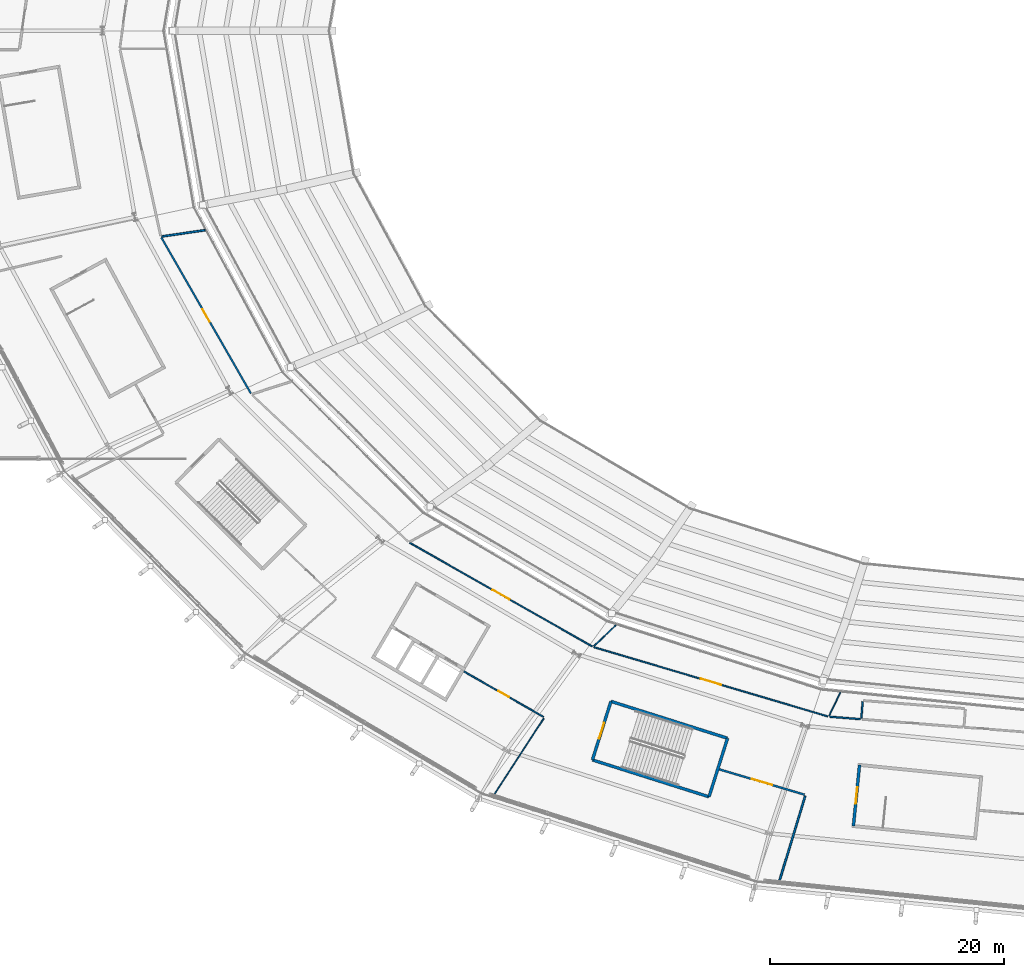
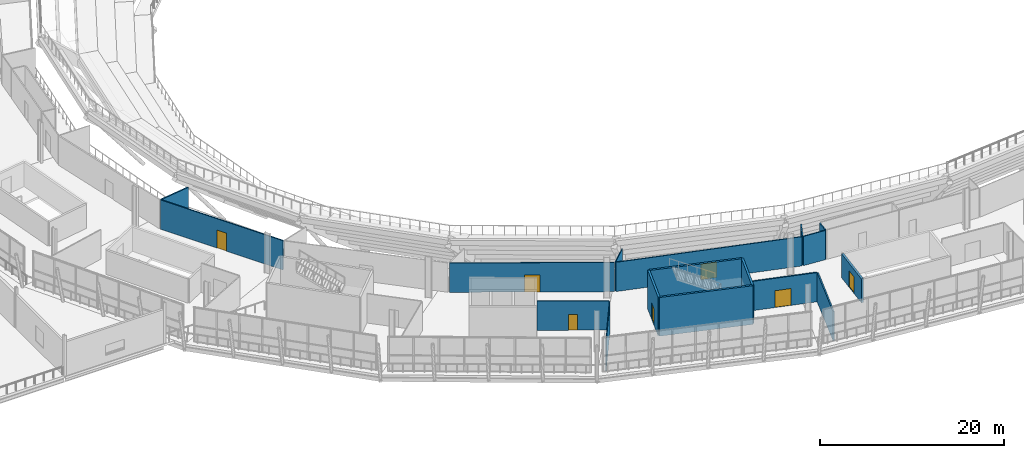
# One storey, part 95 of 126: 17 walls, 7 doors, 7 openings.
"""IFC4 building model written with IfcOpenShell, lengths in metres."""

from ifc_helpers import new_model, si_unit, direction, frame, frame_2d, origin, place, context, subcontext, project, spatial, rectangle, extrude, material, layer, layer_set, type_object, element, fill, save


model = new_model("IFC4")

# Units and contexts
model_context = context("Model", 3, precision=1e-05, world=origin(), true_north=direction((0.0, 1.0)))
body_context = subcontext(model_context, "Body", "Model", "MODEL_VIEW")
ifc_project = project(units=[si_unit("LENGTHUNIT", "METRE"), si_unit("AREAUNIT", "SQUARE_METRE"), si_unit("VOLUMEUNIT", "CUBIC_METRE"), si_unit("PLANEANGLEUNIT", "RADIAN"), si_unit("MASSUNIT", "GRAM", prefix="KILO")], contexts=[model_context])

# Site, building, storey
site_placement = place(None, origin())
site = spatial("IfcSite", under=ifc_project, at=site_placement, CompositionType="ELEMENT")
building_placement = place(site_placement, origin())
building = spatial("IfcBuilding", under=site, at=building_placement, Name="Zlatoyarsky Gate Stadium", CompositionType="ELEMENT")
storey_placement = place(building_placement, frame((0.0, 0.0, 20.800048828125)))
storey = spatial("IfcBuildingStorey", under=building, at=storey_placement, Name="L04", CompositionType="ELEMENT", Elevation=20.800048828125)

# Wall, opening, door
ifc_material_1 = material(Name="Double-stud acoustic gypsum partition", Category="gypsum")
ifc_layer_1 = layer(ifc_material_1, 0.169921875)
ifc_layer_set_1 = layer_set([ifc_layer_1], Name="Double-stud acoustic gypsum partition")
wall_type_1 = type_object("IfcWallType", Name="ACOUSTIC BROADCAST STUDIO WALL 170", PredefinedType="PARTITIONING", material=ifc_layer_set_1)
wall_1_placement = place(storey_placement, frame((82.6962890625, 16.8896484375, 0.0), z_axis=(0.0, 0.0, 1.0), x_axis=(0.958592326315, -0.284781937506, 0.0)))
wall_1 = element("IfcWall", 1, at=wall_1_placement, inside=storey, type_object=wall_type_1, Name="L04 interior partition PRT-L04-OCC-16-1", PredefinedType="PARTITIONING", context=body_context, shape_type="SweptSolid", body=[
    extrude(rectangle(XDim=7.597412109375, YDim=0.169921875, at=frame_2d((3.798828125, 0.0))), origin(), (0.0, 0.0, 1.0), 3.889892578125),
])
opening_1_placement = place(wall_1_placement, frame((2.888671875, 0.0, 0.0)))
opening_1 = element("IfcOpeningElement", 2, at=opening_1_placement, cuts=wall_1, Name="Opening D-L04-590", PredefinedType="OPENING", context=body_context, shape_type="SweptSolid", body=[
    extrude(rectangle(XDim=1.820068359375, YDim=2.239990234375, at=frame_2d((0.91015625, 1.1201171875))), frame((0.0, 0.094970703125, 0.0), z_axis=(0.0, -1.0, 0.0), x_axis=(1.0, 0.0, 0.0)), (0.0, 0.0, 1.0), 0.18994140625),
])
ifc_material_2 = material(Name="Powder-coated steel fire door", Category="steel")
door_type_1 = type_object("IfcDoorType", Name="ACOUSTIC INTERIOR DOOR 1820X2240", OperationType="NOTDEFINED", PredefinedType="DOOR", material=ifc_material_2)
door_1_placement = place(opening_1_placement, origin())
door_1 = element("IfcDoor", 3, at=door_1_placement, inside=storey, type_object=door_type_1, Name="L04 room door D-L04-590", OperationType="SINGLE_SWING_RIGHT", OverallHeight=2.239990234375, OverallWidth=1.820068359375, PredefinedType="DOOR", context=body_context, shape_type="SweptSolid", body=[
    extrude(rectangle(XDim=1.820068359375, YDim=2.239990234375, at=frame_2d((0.91015625, 1.1201171875))), frame((0.0, 0.02490234375, 0.0), z_axis=(0.0, -1.0, 0.0), x_axis=(1.0, 0.0, 0.0)), (0.0, 0.0, 1.0), 0.050048828125),
])
fill(opening_1, door_1)

ifc_material_3 = material(Name="Anodised aluminium acoustic operable wall", Category="aluminium")
ifc_layer_2 = layer(ifc_material_3, 0.114990234375)
ifc_layer_set_2 = layer_set([ifc_layer_2], Name="Anodised aluminium acoustic operable wall")
wall_type_2 = type_object("IfcWallType", Name="ACOUSTIC OPERABLE SUITE WALL 115", PredefinedType="MOVABLE", material=ifc_layer_set_2)
wall_2_placement = place(storey_placement, frame((71.992431640625, 27.32666015625, 0.0), z_axis=(0.0, 0.0, 1.0), x_axis=(0.958867523935, -0.283853961648, 0.0)))
wall_2 = element("IfcWall", 4, at=wall_2_placement, inside=storey, type_object=wall_type_2, Name="L04 vomitory portal wall PRT-L04-ICC-16", PredefinedType="MOVABLE", context=body_context, shape_type="SweptSolid", body=[
    extrude(rectangle(XDim=20.8203125, YDim=0.114990234375, at=frame_2d((10.41015625, 0.0))), origin(), (0.0, 0.0, 1.0), 3.889892578125),
])
opening_2_placement = place(wall_2_placement, frame((9.5, 0.0, 0.0)))
opening_2 = element("IfcOpeningElement", 5, at=opening_2_placement, cuts=wall_2, Name="Opening D-L04-538", PredefinedType="OPENING", context=body_context, shape_type="SweptSolid", body=[
    extrude(rectangle(XDim=1.820068359375, YDim=2.10009765625, at=frame_2d((0.91015625, 1.050048828125))), frame((0.0, 0.0673828125, 0.0), z_axis=(0.0, -1.0, 0.0), x_axis=(1.0, 0.0, 0.0)), (0.0, 0.0, 1.0), 0.135009765625),
])
ifc_material_4 = material(Name="Solid-core oak veneer acoustic door", Category="wood")
door_type_2 = type_object("IfcDoorType", Name="ACOUSTIC INTERIOR DOOR 1820X2100", OperationType="NOTDEFINED", PredefinedType="DOOR", material=ifc_material_4)
door_2_placement = place(opening_2_placement, origin())
door_2 = element("IfcDoor", 6, at=door_2_placement, inside=storey, type_object=door_type_2, Name="L04 vomitory portal door D-L04-538", OperationType="SINGLE_SWING_RIGHT", OverallHeight=2.10009765625, OverallWidth=1.820068359375, PredefinedType="DOOR", context=body_context, shape_type="SweptSolid", body=[
    extrude(rectangle(XDim=1.820068359375, YDim=2.10009765625, at=frame_2d((0.91015625, 1.050048828125))), frame((0.0, 0.02490234375, 0.0), z_axis=(0.0, -1.0, 0.0), x_axis=(1.0, 0.0, 0.0)), (0.0, 0.0, 1.0), 0.050048828125),
])
fill(opening_2, door_2)

wall_3_placement = place(storey_placement, frame((60.86767578125, 25.2578125, 0.0), z_axis=(0.0, 0.0, 1.0), x_axis=(0.868551387385, -0.495599119725, 0.0)))
wall_3 = element("IfcWall", 7, at=wall_3_placement, inside=storey, type_object=wall_type_2, Name="L04 interior partition PRT-L04-OCC-15-1", PredefinedType="MOVABLE", context=body_context, shape_type="SweptSolid", body=[
    extrude(rectangle(XDim=7.843017578125, YDim=0.114990234375, at=frame_2d((3.92138671875, 0.0))), origin(), (0.0, 0.0, 1.0), 3.889892578125),
])
opening_3_placement = place(wall_3_placement, frame((3.41162109375, 0.0, 0.0)))
opening_3 = element("IfcOpeningElement", 8, at=opening_3_placement, cuts=wall_3, Name="Opening D-L04-588", PredefinedType="OPENING", context=body_context, shape_type="SweptSolid", body=[
    extrude(rectangle(XDim=1.02001953125, YDim=2.10009765625, at=frame_2d((0.510009765625, 1.050048828125))), frame((0.0, 0.0673828125, 0.0), z_axis=(0.0, -1.0, 0.0), x_axis=(1.0, 0.0, 0.0)), (0.0, 0.0, 1.0), 0.135009765625),
])
door_type_3 = type_object("IfcDoorType", Name="ACOUSTIC INTERIOR DOOR 1020X2100", OperationType="NOTDEFINED", PredefinedType="DOOR", material=ifc_material_4)
door_3_placement = place(opening_3_placement, origin())
door_3 = element("IfcDoor", 9, at=door_3_placement, inside=storey, type_object=door_type_3, Name="L04 room door D-L04-588", OperationType="SINGLE_SWING_LEFT", OverallHeight=2.10009765625, OverallWidth=1.02001953125, PredefinedType="DOOR", context=body_context, shape_type="SweptSolid", body=[
    extrude(rectangle(XDim=1.02001953125, YDim=2.10009765625, at=frame_2d((0.510009765625, 1.050048828125))), frame((0.0, 0.02490234375, 0.0), z_axis=(0.0, -1.0, 0.0), x_axis=(1.0, 0.0, 0.0)), (0.0, 0.0, 1.0), 0.050048828125),
])
fill(opening_3, door_3)

ifc_material_5 = material(Name="Metal-stud gypsum partition", Category="gypsum")
ifc_layer_3 = layer(ifc_material_5, 0.14990234375)
ifc_layer_set_3 = layer_set([ifc_layer_3], Name="Metal-stud gypsum partition")
wall_type_3 = type_object("IfcWallType", Name="CONCOURSE CORRIDOR PARTITION 150", PredefinedType="PARTITIONING", material=ifc_layer_set_3)
wall_4_placement = place(storey_placement, frame((35.01611328125, 62.337158203125, 0.0), z_axis=(0.0, 0.0, 1.0), x_axis=(0.498023782577, -0.867163370991, 0.0)))
wall_4 = element("IfcWall", 10, at=wall_4_placement, inside=storey, type_object=wall_type_3, Name="L04 interior partition PRT-L04-ICC-13", PredefinedType="PARTITIONING", context=body_context, shape_type="SweptSolid", body=[
    extrude(rectangle(XDim=15.362548828125, YDim=0.14990234375, at=frame_2d((7.68115234375, 0.0))), origin(), (0.0, 0.0, 1.0), 3.889892578125),
])
opening_4_placement = place(wall_4_placement, frame((7.061279296875, 0.0, 0.0)))
opening_4 = element("IfcOpeningElement", 11, at=opening_4_placement, cuts=wall_4, Name="Opening D-L04-532", PredefinedType="OPENING", context=body_context, shape_type="SweptSolid", body=[
    extrude(rectangle(XDim=1.239990234375, YDim=2.3798828125, at=frame_2d((0.6201171875, 1.18994140625))), frame((0.0, 0.0849609375, 0.0), z_axis=(0.0, -1.0, 0.0), x_axis=(1.0, 0.0, 0.0)), (0.0, 0.0, 1.0), 0.169921875),
])
door_type_4 = type_object("IfcDoorType", Name="ACOUSTIC INTERIOR DOOR 1240X2380", OperationType="NOTDEFINED", PredefinedType="DOOR", material=ifc_material_2)
door_4_placement = place(opening_4_placement, origin())
door_4 = element("IfcDoor", 12, at=door_4_placement, inside=storey, type_object=door_type_4, Name="L04 room door D-L04-532", OperationType="SINGLE_SWING_LEFT", OverallHeight=2.3798828125, OverallWidth=1.239990234375, PredefinedType="DOOR", context=body_context, shape_type="SweptSolid", body=[
    extrude(rectangle(XDim=1.239990234375, YDim=2.3798828125, at=frame_2d((0.6201171875, 1.18994140625))), frame((0.0, 0.02490234375, 0.0), z_axis=(0.0, -1.0, 0.0), x_axis=(1.0, 0.0, 0.0)), (0.0, 0.0, 1.0), 0.050048828125),
])
fill(opening_4, door_4)

ifc_material_6 = material(Name="Concrete C40/50", Category="concrete")
ifc_layer_4 = layer(ifc_material_6, 0.25)
ifc_layer_set_4 = layer_set([ifc_layer_4], Name="Concrete C40/50")
wall_type_4 = type_object("IfcWallType", Name="CONCRETE STAIR CORE SHEAR WALL 250", PredefinedType="SHEAR", material=ifc_layer_set_4)
wall_5_placement = place(storey_placement, frame((73.436767578125, 22.69873046875, 0.0), z_axis=(0.0, 0.0, 1.0), x_axis=(-0.30152749866, -0.953457480726, 0.0)))
wall_5 = element("IfcWall", 13, at=wall_5_placement, inside=storey, type_object=wall_type_4, Name="ST-09 L04 stair core entrance shear wall", PredefinedType="SHEAR", context=body_context, shape_type="SweptSolid", body=[
    extrude(rectangle(XDim=5.25, YDim=0.25, at=frame_2d((2.625, 0.0))), origin(), (0.0, 0.0, 1.0), 5.139892578125),
])
opening_5_placement = place(wall_5_placement, frame((1.925048828125, 0.0, 0.0)))
opening_5 = element("IfcOpeningElement", 14, at=opening_5_placement, cuts=wall_5, Name="Opening SD-ST-09-L04", PredefinedType="OPENING", context=body_context, shape_type="SweptSolid", body=[
    extrude(rectangle(XDim=1.39990234375, YDim=2.199951171875, at=frame_2d((0.699951171875, 1.10009765625))), frame((0.0, 0.135009765625, 0.0), z_axis=(0.0, -1.0, 0.0), x_axis=(1.0, 0.0, 0.0)), (0.0, 0.0, 1.0), 0.27001953125),
])
door_type_5 = type_object("IfcDoorType", Name="STAIR CORE FIRE EXIT DOOR 1400X2200", OperationType="NOTDEFINED", PredefinedType="DOOR", material=ifc_material_2)
door_5_placement = place(opening_5_placement, frame((1.39990234375, 0.0, 0.0), z_axis=(0.0, 0.0, 1.0), x_axis=(-1.0, 0.0, 0.0)))
door_5 = element("IfcDoor", 15, at=door_5_placement, inside=storey, type_object=door_type_5, Name="ST-09 L04 stair fire door", OperationType="SINGLE_SWING_LEFT", OverallHeight=2.199951171875, OverallWidth=1.39990234375, PredefinedType="DOOR", context=body_context, shape_type="SweptSolid", body=[
    extrude(rectangle(XDim=1.39990234375, YDim=2.199951171875, at=frame_2d((0.699951171875, 1.10009765625))), frame((0.0, 0.02490234375, 0.0), z_axis=(0.0, -1.0, 0.0), x_axis=(1.0, 0.0, 0.0)), (0.0, 0.0, 1.0), 0.050048828125),
])
fill(opening_5, door_5)

# Walls
wall_6_placement = place(storey_placement, frame((71.853759765625, 17.693115234375, 0.0), z_axis=(0.0, 0.0, 1.0), x_axis=(0.953461834254, -0.301513732061, 0.0)))
element("IfcWall", 16, at=wall_6_placement, inside=storey, type_object=wall_type_4, Name="ST-09 L04 stair core left shear wall", PredefinedType="SHEAR", context=body_context, shape_type="SweptSolid", body=[
    extrude(rectangle(XDim=10.4501953125, YDim=0.25, at=frame_2d((5.22509765625, 0.0))), origin(), (0.0, 0.0, 1.0), 5.139892578125),
])
wall_7_placement = place(storey_placement, frame((81.817626953125, 14.542236328125, 0.0), z_axis=(0.0, 0.0, 1.0), x_axis=(0.301485222482, 0.953470849384, 0.0)))
element("IfcWall", 17, at=wall_7_placement, inside=storey, type_object=wall_type_4, Name="ST-09 L04 stair core far shear wall", PredefinedType="SHEAR", context=body_context, shape_type="SweptSolid", body=[
    extrude(rectangle(XDim=5.25, YDim=0.25, at=frame_2d((2.625, 0.0))), origin(), (0.0, 0.0, 1.0), 5.139892578125),
])
wall_8_placement = place(storey_placement, frame((83.400390625, 19.5478515625, 0.0), z_axis=(0.0, 0.0, 1.0), x_axis=(-0.953459710305, 0.301520448438, 0.0)))
element("IfcWall", 18, at=wall_8_placement, inside=storey, type_object=wall_type_4, Name="ST-09 L04 stair core right shear wall", PredefinedType="SHEAR", context=body_context, shape_type="SweptSolid", body=[
    extrude(rectangle(XDim=10.449951171875, YDim=0.25, at=frame_2d((5.22509765625, 0.0))), origin(), (0.0, 0.0, 1.0), 5.139892578125),
])

# Wall, opening, door
wall_9_placement = place(storey_placement, frame((94.680908203125, 17.26611328125, 0.0), z_axis=(0.0, 0.0, 1.0), x_axis=(-0.10002396577, -0.994985028165, 0.0)))
wall_9 = element("IfcWall", 19, at=wall_9_placement, inside=storey, type_object=wall_type_4, Name="ST-19 L04 stair core entrance shear wall", PredefinedType="SHEAR", context=body_context, shape_type="SweptSolid", body=[
    extrude(rectangle(XDim=5.250244140625, YDim=0.25, at=frame_2d((2.625, 0.0))), origin(), (0.0, 0.0, 1.0), 3.199951171875),
])
opening_6_placement = place(wall_9_placement, frame((1.925048828125, 0.0, 0.0)))
opening_6 = element("IfcOpeningElement", 20, at=opening_6_placement, cuts=wall_9, Name="Opening SD-ST-19-L04", PredefinedType="OPENING", context=body_context, shape_type="SweptSolid", body=[
    extrude(rectangle(XDim=1.39990234375, YDim=2.199951171875, at=frame_2d((0.699951171875, 1.10009765625))), frame((0.0, 0.135009765625, 0.0), z_axis=(0.0, -1.0, 0.0), x_axis=(1.0, 0.0, 0.0)), (0.0, 0.0, 1.0), 0.27001953125),
])
door_6_placement = place(opening_6_placement, frame((1.39990234375, 0.0, 0.0), z_axis=(0.0, 0.0, 1.0), x_axis=(-1.0, 0.0, 0.0)))
door_6 = element("IfcDoor", 21, at=door_6_placement, inside=storey, type_object=door_type_5, Name="ST-19 L04 stair fire door", OperationType="SINGLE_SWING_RIGHT", OverallHeight=2.199951171875, OverallWidth=1.39990234375, PredefinedType="DOOR", context=body_context, shape_type="SweptSolid", body=[
    extrude(rectangle(XDim=1.39990234375, YDim=2.199951171875, at=frame_2d((0.699951171875, 1.10009765625))), frame((0.0, 0.02490234375, 0.0), z_axis=(0.0, -1.0, 0.0), x_axis=(1.0, 0.0, 0.0)), (0.0, 0.0, 1.0), 0.050048828125),
])
fill(opening_6, door_6)

# Walls
ifc_material_7 = material(Name="Timber-veneered acoustic operable partition", Category="wood")
ifc_layer_5 = layer(ifc_material_7, 0.094970703125)
ifc_layer_set_5 = layer_set([ifc_layer_5], Name="Timber-veneered acoustic operable partition")
wall_type_5 = type_object("IfcWallType", Name="FOLDING BANQUET SALON WALL 95", PredefinedType="MOVABLE", material=ifc_layer_set_5)
wall_10_placement = place(storey_placement, frame((93.041015625, 23.4580078125, 0.0), z_axis=(0.0, 0.0, 1.0), x_axis=(-0.436937147181, -0.899492039661, 0.0)))
element("IfcWall", 22, at=wall_10_placement, inside=storey, type_object=wall_type_5, Name="L04 interior partition PRT-L04-IRD-17", PredefinedType="MOVABLE", context=body_context, shape_type="SweptSolid", body=[
    extrude(rectangle(XDim=2.2109375, YDim=0.094970703125, at=frame_2d((1.10546875, 0.0))), origin(), (0.0, 0.0, 1.0), 3.889892578125),
])
wall_11_placement = place(storey_placement, frame((67.707275390625, 21.257568359375, 0.0), z_axis=(0.0, 0.0, 1.0), x_axis=(-0.546438472929, -0.837499250927, 0.0)))
element("IfcWall", 23, at=wall_11_placement, inside=storey, type_object=wall_type_5, Name="L04 interior partition PRT-L04-ORD-15R", PredefinedType="MOVABLE", context=body_context, shape_type="SweptSolid", body=[
    extrude(rectangle(XDim=7.765625, YDim=0.094970703125, at=frame_2d((3.8828125, 0.0))), origin(), (0.0, 0.0, 1.0), 3.889892578125),
])
ifc_material_8 = material(Name="Acoustic metal-stud gypsum partition", Category="gypsum")
ifc_layer_6 = layer(ifc_material_8, 0.159912109375)
ifc_layer_set_6 = layer_set([ifc_layer_6], Name="Acoustic metal-stud gypsum partition")
wall_type_6 = type_object("IfcWallType", Name="HOSPITALITY SUITE PARTITION 160", PredefinedType="PARTITIONING", material=ifc_layer_set_6)
wall_12_placement = place(storey_placement, frame((38.76123046875, 62.966796875, 0.0), z_axis=(0.0, 0.0, 1.0), x_axis=(-0.98939280034, -0.145264884385, 0.0)))
element("IfcWall", 24, at=wall_12_placement, inside=storey, type_object=wall_type_6, Name="L04 interior partition PRT-L04-IRD-13", PredefinedType="PARTITIONING", context=body_context, shape_type="SweptSolid", body=[
    extrude(rectangle(XDim=3.742919921875, YDim=0.159912109375, at=frame_2d((1.87158203125, 0.0))), origin(), (0.0, 0.0, 1.0), 3.889892578125),
])
wall_13_placement = place(storey_placement, frame((90.035888671875, 14.620361328125, 0.0), z_axis=(0.0, 0.0, 1.0), x_axis=(-0.289819492938, -0.957081324399, 0.0)))
element("IfcWall", 25, at=wall_13_placement, inside=storey, type_object=wall_type_6, Name="L04 interior partition PRT-L04-ORD-16R", PredefinedType="PARTITIONING", context=body_context, shape_type="SweptSolid", body=[
    extrude(rectangle(XDim=7.572998046875, YDim=0.159912109375, at=frame_2d((3.78662109375, 0.0))), origin(), (0.0, 0.0, 1.0), 3.889892578125),
])

# Wall, opening, door
ifc_layer_7 = layer(ifc_material_5, 0.110107421875)
ifc_layer_set_7 = layer_set([ifc_layer_7], Name="Metal-stud gypsum partition")
wall_type_7 = type_object("IfcWallType", Name="KIOSK SERVICE PARTITION 110", PredefinedType="PARTITIONING", material=ifc_layer_set_7)
wall_14_placement = place(storey_placement, frame((56.245849609375, 36.247802734375, 0.0), z_axis=(0.0, 0.0, 1.0), x_axis=(0.869545597603, -0.493852663948, 0.0)))
wall_14 = element("IfcWall", 26, at=wall_14_placement, inside=storey, type_object=wall_type_7, Name="L04 interior partition PRT-L04-ICC-15", PredefinedType="PARTITIONING", context=body_context, shape_type="SweptSolid", body=[
    extrude(rectangle(XDim=17.930419921875, YDim=0.110107421875, at=frame_2d((8.96533203125, 0.0))), origin(), (0.0, 0.0, 1.0), 3.889892578125),
])
opening_7_placement = place(wall_14_placement, frame((8.125, 0.0, 0.0)))
opening_7 = element("IfcOpeningElement", 27, at=opening_7_placement, cuts=wall_14, Name="Opening D-L04-536", PredefinedType="OPENING", context=body_context, shape_type="SweptSolid", body=[
    extrude(rectangle(XDim=1.679931640625, YDim=2.239990234375, at=frame_2d((0.83984375, 1.1201171875))), frame((0.0, 0.06494140625, 0.0), z_axis=(0.0, -1.0, 0.0), x_axis=(1.0, 0.0, 0.0)), (0.0, 0.0, 1.0), 0.130126953125),
])
door_type_6 = type_object("IfcDoorType", Name="ACOUSTIC INTERIOR DOOR 1680X2240", OperationType="NOTDEFINED", PredefinedType="DOOR", material=ifc_material_4)
door_7_placement = place(opening_7_placement, origin())
door_7 = element("IfcDoor", 28, at=door_7_placement, inside=storey, type_object=door_type_6, Name="L04 room door D-L04-536", OperationType="SINGLE_SWING_LEFT", OverallHeight=2.239990234375, OverallWidth=1.679931640625, PredefinedType="DOOR", context=body_context, shape_type="SweptSolid", body=[
    extrude(rectangle(XDim=1.679931640625, YDim=2.239990234375, at=frame_2d((0.83984375, 1.1201171875))), frame((0.0, 0.02490234375, 0.0), z_axis=(0.0, -1.0, 0.0), x_axis=(1.0, 0.0, 0.0)), (0.0, 0.0, 1.0), 0.050048828125),
])
fill(opening_7, door_7)

# Walls
ifc_layer_8 = layer(ifc_material_5, 0.10009765625)
ifc_layer_set_8 = layer_set([ifc_layer_8], Name="Metal-stud gypsum partition")
wall_type_8 = type_object("IfcWallType", Name="LIGHT STORAGE PARTITION 100", PredefinedType="PARTITIONING", material=ifc_layer_set_8)
wall_15_placement = place(storey_placement, frame((73.8583984375, 29.211181640625, 0.0), z_axis=(0.0, 0.0, 1.0), x_axis=(-0.723068606945, -0.690776222557, 0.0)))
element("IfcWall", 29, at=wall_15_placement, inside=storey, type_object=wall_type_8, Name="L04 interior partition PRT-L04-IRD-16", PredefinedType="PARTITIONING", context=body_context, shape_type="SweptSolid", body=[
    extrude(rectangle(XDim=2.6083984375, YDim=0.10009765625, at=frame_2d((1.30419921875, 0.0))), origin(), (0.0, 0.0, 1.0), 3.889892578125),
])
ifc_material_9 = material(Name="Moisture-resistant tile-backed partition", Category="gypsum")
ifc_layer_9 = layer(ifc_material_9, 0.1298828125)
ifc_layer_set_9 = layer_set([ifc_layer_9], Name="Moisture-resistant tile-backed partition")
wall_type_9 = type_object("IfcWallType", Name="SANITARY WET ROOM PARTITION 130", PredefinedType="PARTITIONING", material=ifc_layer_set_9)
wall_16_placement = place(storey_placement, frame((94.8359375, 21.2587890625, 0.0), z_axis=(0.0, 0.0, 1.0), x_axis=(0.07801492319, 0.996952191311, 0.0)))
element("IfcWall", 30, at=wall_16_placement, inside=storey, type_object=wall_type_9, Name="L04 interior partition PRT-L04-WC17-L", PredefinedType="PARTITIONING", context=body_context, shape_type="SweptSolid", body=[
    extrude(rectangle(XDim=1.43017578125, YDim=0.1298828125, at=frame_2d((0.715087890625, 0.0))), origin(), (0.0, 0.0, 1.0), 3.889892578125),
])
wall_17_placement = place(storey_placement, frame((92.12255859375, 21.385986328125, 0.0), z_axis=(0.0, 0.0, 1.0), x_axis=(0.996948159795, -0.078066424803, 0.0)))
element("IfcWall", 31, at=wall_17_placement, inside=storey, type_object=wall_type_9, Name="L04 interior partition PRT-L04-WCL-17", PredefinedType="PARTITIONING", context=body_context, shape_type="SweptSolid", body=[
    extrude(rectangle(XDim=2.630126953125, YDim=0.1298828125, at=frame_2d((1.31494140625, 0.0))), origin(), (0.0, 0.0, 1.0), 3.889892578125),
])

save(model, "model.ifc")
